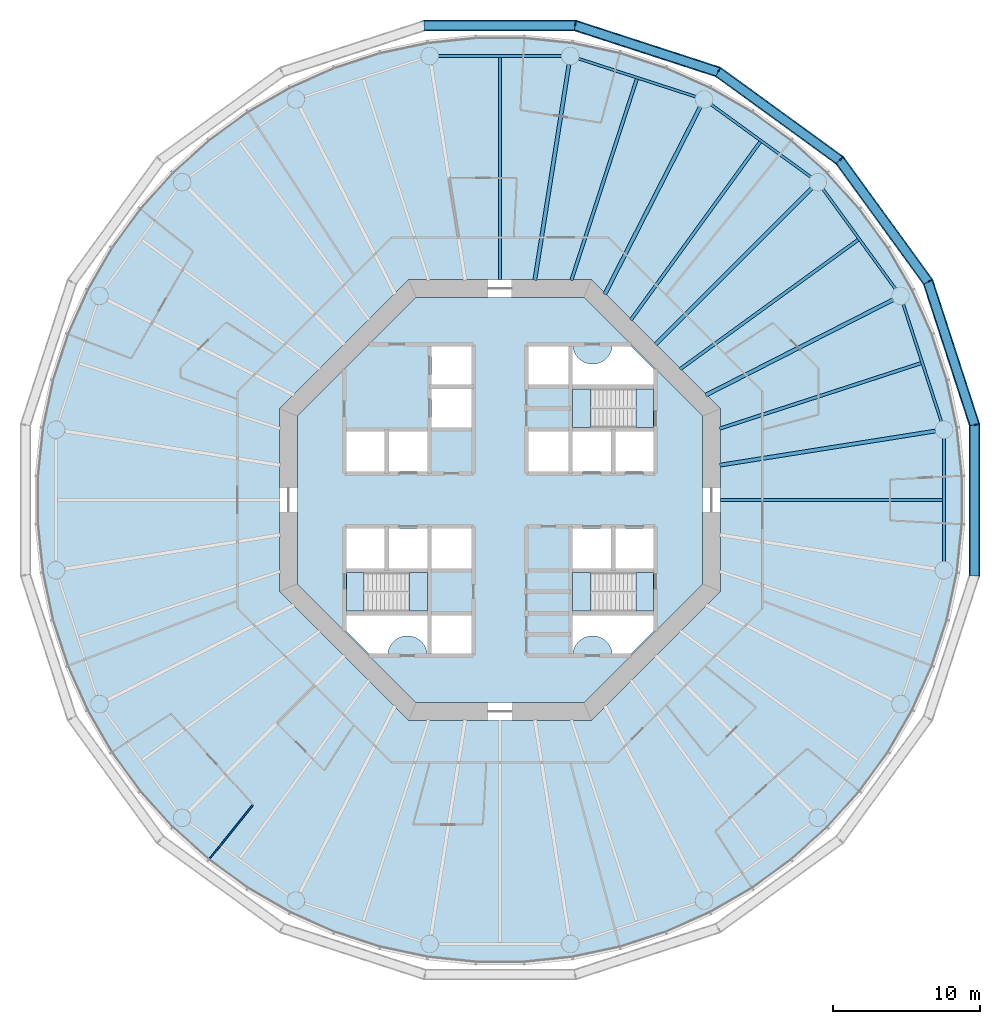
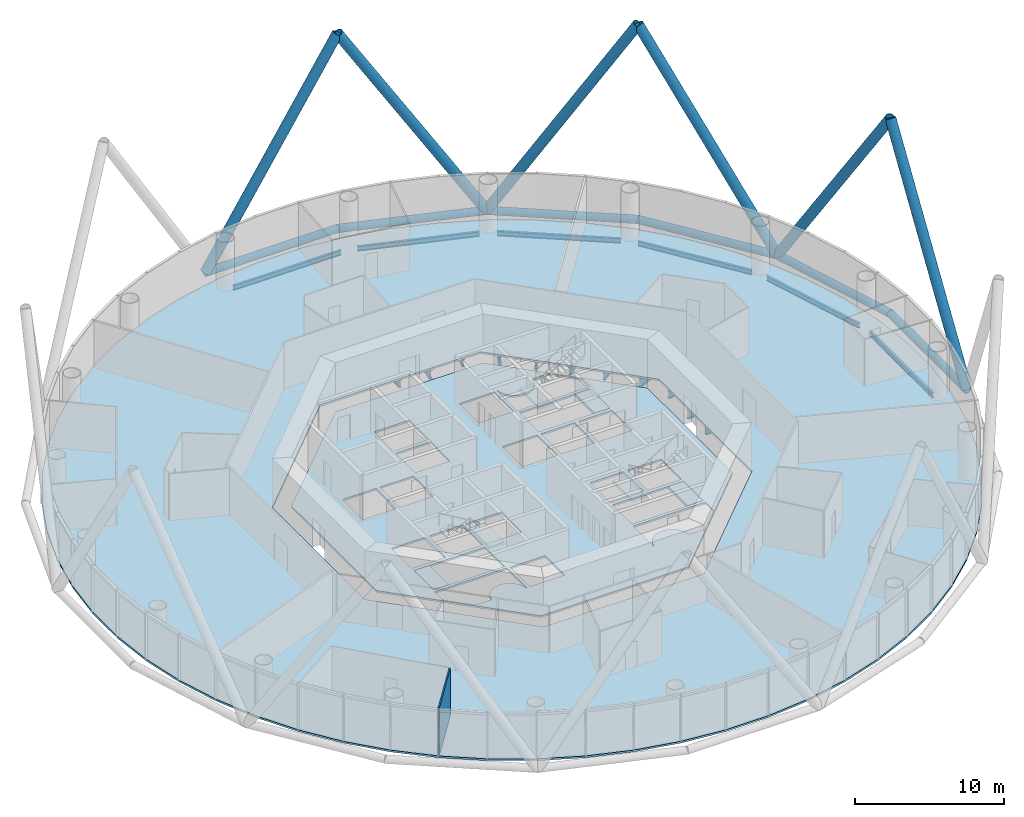
# One storey, part 2 of 13: 17 beams, 12 members, 8 slabs, 1 wall, 3 elements without a shape of their own.
"""IFC4 building model written with IfcOpenShell, lengths in metres."""

from ifc_helpers import new_model, si_unit, direction, frame, frame_2d, origin, origin_2d, place, context, subcontext, project, spatial, polyline, rectangle, circle, hollow_circle, i_section, outline, extrude, material, layer, layer_set, material_profile, profile_set, type_object, element, aggregate, save


model = new_model("IFC4")

# Units and contexts
model_context = context("Model", 3, precision=1e-05, world=origin(), true_north=direction((0.0, 1.0)))
body_context = subcontext(model_context, "Body", "Model", "MODEL_VIEW")
ifc_project = project(units=[si_unit("LENGTHUNIT", "METRE"), si_unit("AREAUNIT", "SQUARE_METRE"), si_unit("VOLUMEUNIT", "CUBIC_METRE"), si_unit("PLANEANGLEUNIT", "RADIAN"), si_unit("MASSUNIT", "GRAM", prefix="KILO")], contexts=[model_context])

# Site, building, storey
site_placement = place(None, origin())
site = spatial("IfcSite", under=ifc_project, at=site_placement, CompositionType="ELEMENT")
building_placement = place(site_placement, origin())
building = spatial("IfcBuilding", under=site, at=building_placement, Name="Entoto Ring Tower", CompositionType="ELEMENT")
storey_placement = place(building_placement, frame((0.0, 0.0, 116.0)))
storey = spatial("IfcBuildingStorey", under=building, at=storey_placement, Name="L26", CompositionType="ELEMENT", Elevation=116.0)

# Members
ifc_material_1 = material(Name="Steel S355", Category="steel")
ifc_material_profile_1 = material_profile(ifc_material_1, hollow_circle(Radius=0.375, WallThickness=0.0380859375, at=origin_2d()), Name="CHS 750 x 38")
ifc_material_2 = material(Name="Concrete C60/75", Category="concrete")
ifc_material_profile_2 = material_profile(ifc_material_2, circle(Radius=0.3369140625, at=origin_2d()), Name="Concrete C60/75 infill")
ifc_profile_set_1 = profile_set([ifc_material_profile_1, ifc_material_profile_2], Name="Steel S355")
member_type_1 = type_object("IfcMemberType", Name="Diagrid diagonal 750 x 38 concrete-filled tube", PredefinedType="BRACE", material=ifc_profile_set_1)
for number, where, z_axis, x_axis, name in (
    (1, (119.135986328125, 94.845458984375, 0.0), (0.166465095802, -0.512340715739, 0.84249413225), (0.95105896794, 0.309009448885, 0.0), "DG3A module 8 01"),
    (2, (119.135986328125, 94.845458984375, 0.0), (-0.316653552924, 0.435822862586, 0.842489738731), (-0.809008424404, -0.587797047665, 0.0), "DG3A module 8 02"),
    (3, (104.845458984375, 109.135986328125, 0.0), (0.435822862586, -0.316653552924, 0.842489738731), (0.587797047665, 0.809008424404, 0.0), "DG3A module 8 03"),
    (4, (104.845458984375, 109.135986328125, 0.0), (-0.512340715739, 0.166465095802, 0.84249413225), (-0.309009448885, -0.95105896794, 0.0), "DG3A module 8 04"),
):
    element("IfcMember", number, at=place(storey_placement, frame(where, z_axis=z_axis, x_axis=x_axis)), inside=storey, type_object=member_type_1, Name=name, PredefinedType="BRACE", context=body_context, shape_type="SweptSolid", body=[
        extrude(hollow_circle(Radius=0.375, WallThickness=0.0380859375, at=origin_2d()), origin(), (0.0, 0.0, 1.0), 18.9912109375),
    ])
for number, where, z_axis, x_axis, name in (
    (5, (84.884521484375, 112.29736328125, 0.0), (0.538715853857, 0.0, 0.84248752442), (0.0, 1.0, 0.0), "DG3A module 8 05"),
    (6, (122.29736328125, 74.884521484375, 0.0), (0.0, 0.538715853857, 0.84248752442), (-1.0, 0.0, 0.0), "DG3A module 8 20"),
):
    element("IfcMember", number, at=place(storey_placement, frame(where, z_axis=z_axis, x_axis=x_axis)), inside=storey, type_object=member_type_1, Name=name, PredefinedType="BRACE", context=body_context, shape_type="SweptSolid", body=[
        extrude(hollow_circle(Radius=0.375, WallThickness=0.0380859375, at=origin_2d()), origin(), (0.0, 0.0, 1.0), 18.991455078125),
    ])
ifc_material_3 = material(Name="Steel S355", Category="steel")
ifc_material_profile_3 = material_profile(ifc_material_3, hollow_circle(Radius=0.300048828125, WallThickness=0.030029296875, at=origin_2d()), Name="CHS 600 x 30")
ifc_material_4 = material(Name="Concrete C60/75", Category="concrete")
ifc_material_profile_4 = material_profile(ifc_material_4, circle(Radius=0.27001953125, at=origin_2d()), Name="Concrete C60/75 infill")
ifc_profile_set_2 = profile_set([ifc_material_profile_3, ifc_material_profile_4], Name="Steel S355")
member_type_2 = type_object("IfcMemberType", Name="Diagrid ring beam 600 x 30", PredefinedType="CHORD", material=ifc_profile_set_2)
for number, where, z_axis, x_axis, name in (
    (7, (119.175537109375, 94.790771484375, 0.0), (-0.587773909122, 0.809025235549, 0.0), (-0.809025235549, -0.587773909122, 0.0), "DR1 ring 7 01"),
    (8, (113.177001953125, 103.082763671875, 0.0), (-0.809025235549, 0.587773909122, 0.0), (-0.587773909122, -0.809025235549, 0.0), "DR1 ring 7 02"),
):
    element("IfcMember", number, at=place(storey_placement, frame(where, z_axis=z_axis, x_axis=x_axis)), inside=storey, type_object=member_type_2, Name=name, PredefinedType="CHORD", context=body_context, shape_type="SweptSolid", body=[
        extrude(hollow_circle(Radius=0.300048828125, WallThickness=0.030029296875, at=origin_2d()), origin(), (0.0, 0.0, 1.0), 10.365966796875),
    ])
for number, where, z_axis, x_axis, name in (
    (9, (104.90966796875, 109.114990234375, 0.0), (-0.951051375491, 0.309032815696, 0.0), (-0.309032815696, -0.951051375491, 0.0), "DR1 ring 7 03"),
    (10, (95.182861328125, 112.29736328125, 0.0), (-1.0, 0.0, 0.0), (0.0, -1.0, 0.0), "DR1 ring 7 04"),
    (11, (122.29736328125, 74.817138671875, 0.0), (0.0, 1.0, 0.0), (-1.0, 0.0, 0.0), "DR1 ring 7 19"),
    (12, (122.318359375, 85.05126953125, 0.0), (-0.309032815696, 0.951051375491, 0.0), (-0.951051375491, -0.309032815696, 0.0), "DR1 ring 7 20"),
):
    element("IfcMember", number, at=place(storey_placement, frame(where, z_axis=z_axis, x_axis=x_axis)), inside=storey, type_object=member_type_2, Name=name, PredefinedType="CHORD", context=body_context, shape_type="SweptSolid", body=[
        extrude(hollow_circle(Radius=0.300048828125, WallThickness=0.030029296875, at=origin_2d()), origin(), (0.0, 0.0, 1.0), 10.36572265625),
    ])

# Beams
ifc_material_5 = material(Name="Steel S355", Category="steel")
ifc_material_profile_5 = material_profile(ifc_material_5, i_section(OverallWidth=0.179931640625, OverallDepth=0.39990234375, WebThickness=0.008544921875, FlangeThickness=0.013427734375, FilletRadius=0.02099609375, at=origin_2d()), Name="IPE 400")
ifc_profile_set_3 = profile_set([ifc_material_profile_5], Name="Steel S355")
beam_type_1 = type_object("IfcBeamType", Name="Edge beam IPE 400", PredefinedType="SPANDREL", material=ifc_profile_set_3)
for number, where, z_axis, x_axis, name in (
    (13, (120.038330078125, 85.35595703125, -0.35009765625), (-0.309014241039, 0.951057410904, 0.0), (-0.951057410904, -0.309014241039, 0.0), "Edge beam L26 01"),
    (14, (116.9130859375, 94.376220703125, -0.35009765625), (-0.587783458554, 0.8090182976, 0.0), (-0.8090182976, -0.587783458554, 0.0), "Edge beam L26 02"),
    (15, (111.1533203125, 101.9892578125, -0.35009765625), (-0.8090182976, 0.587783458554, 0.0), (-0.587783458554, -0.8090182976, 0.0), "Edge beam L26 03"),
    (16, (103.322998046875, 107.44970703125, -0.35009765625), (-0.951057410904, 0.309014241039, 0.0), (-0.309014241039, -0.951057410904, 0.0), "Edge beam L26 04"),
    (17, (94.1884765625, 110.22314453125, -0.35009765625), (-1.0, 0.0, 0.0), (0.0, -1.0, 0.0), "Edge beam L26 05"),
    (18, (120.22314453125, 75.8115234375, -0.35009765625), (0.0, 1.0, 0.0), (-1.0, 0.0, 0.0), "Edge beam L26 20"),
):
    element("IfcBeam", number, at=place(storey_placement, frame(where, z_axis=z_axis, x_axis=x_axis)), inside=storey, type_object=beam_type_1, Name=name, PredefinedType="SPANDREL", context=body_context, shape_type="SweptSolid", body=[
        extrude(i_section(OverallWidth=0.179931640625, OverallDepth=0.39990234375, WebThickness=0.008544921875, FlangeThickness=0.013427734375, FilletRadius=0.02099609375, at=origin_2d()), origin(), (0.0, 0.0, 1.0), 8.376953125),
    ])
ifc_material_6 = material(Name="Steel S355", Category="steel")
ifc_material_profile_6 = material_profile(ifc_material_6, i_section(OverallWidth=0.262939453125, OverallDepth=0.7529296875, WebThickness=0.011474609375, FlangeThickness=0.01708984375, FilletRadius=0.01708984375, at=origin_2d()), Name="IPE 750 x 137")
ifc_profile_set_4 = profile_set([ifc_material_profile_6], Name="Steel S355")
beam_type_2 = type_object("IfcBeamType", Name="Primary floor beam IPE 750 x 137", PredefinedType="BEAM", material=ifc_profile_set_4)
beam_1_placement = place(storey_placement, frame((104.959716796875, 82.369384765625, -0.526611328125), z_axis=(0.98768960451, 0.156426484787, 0.0), x_axis=(-0.156426484787, 0.98768960451, 0.0)))
element("IfcBeam", 19, at=beam_1_placement, inside=storey, type_object=beam_type_2, Name="Primary L26 R01", PredefinedType="BEAM", context=body_context, shape_type="SweptSolid", body=[
    extrude(i_section(OverallWidth=0.262939453125, OverallDepth=0.7529296875, WebThickness=0.011474609375, FlangeThickness=0.01708984375, FilletRadius=0.01708984375, at=origin_2d()), origin(), (0.0, 0.0, 1.0), 14.86279296875),
])
beam_2_placement = place(storey_placement, frame((103.9970703125, 87.1318359375, -0.526611328125), z_axis=(0.891007312585, 0.453988952421, 0.0), x_axis=(-0.453988952421, 0.891007312585, 0.0)))
element("IfcBeam", 20, at=beam_2_placement, inside=storey, type_object=beam_type_2, Name="Primary L26 R02", PredefinedType="BEAM", context=body_context, shape_type="SweptSolid", body=[
    extrude(i_section(OverallWidth=0.262939453125, OverallDepth=0.7529296875, WebThickness=0.011474609375, FlangeThickness=0.01708984375, FilletRadius=0.01708984375, at=origin_2d()), origin(), (0.0, 0.0, 1.0), 14.2998046875),
])
beam_3_placement = place(storey_placement, frame((100.592529296875, 90.592529296875, -0.526611328125), z_axis=(0.707106781187, 0.707106781187, 0.0), x_axis=(-0.707106781187, 0.707106781187, 0.0)))
element("IfcBeam", 21, at=beam_3_placement, inside=storey, type_object=beam_type_2, Name="Primary L26 R03", PredefinedType="BEAM", context=body_context, shape_type="SweptSolid", body=[
    extrude(i_section(OverallWidth=0.262939453125, OverallDepth=0.7529296875, WebThickness=0.011474609375, FlangeThickness=0.01708984375, FilletRadius=0.01708984375, at=origin_2d()), origin(), (0.0, 0.0, 1.0), 15.029052734375),
])
beam_4_placement = place(storey_placement, frame((97.1318359375, 93.9970703125, -0.526611328125), z_axis=(0.453988952421, 0.891007312585, 0.0), x_axis=(-0.891007312585, 0.453988952421, 0.0)))
element("IfcBeam", 22, at=beam_4_placement, inside=storey, type_object=beam_type_2, Name="Primary L26 R04", PredefinedType="BEAM", context=body_context, shape_type="SweptSolid", body=[
    extrude(i_section(OverallWidth=0.262939453125, OverallDepth=0.7529296875, WebThickness=0.011474609375, FlangeThickness=0.01708984375, FilletRadius=0.01708984375, at=origin_2d()), origin(), (0.0, 0.0, 1.0), 14.2998046875),
])
beam_5_placement = place(storey_placement, frame((92.369384765625, 94.959716796875, -0.526611328125), z_axis=(0.156426484787, 0.98768960451, 0.0), x_axis=(-0.98768960451, 0.156426484787, 0.0)))
element("IfcBeam", 23, at=beam_5_placement, inside=storey, type_object=beam_type_2, Name="Primary L26 R05", PredefinedType="BEAM", context=body_context, shape_type="SweptSolid", body=[
    extrude(i_section(OverallWidth=0.262939453125, OverallDepth=0.7529296875, WebThickness=0.011474609375, FlangeThickness=0.01708984375, FilletRadius=0.01708984375, at=origin_2d()), origin(), (0.0, 0.0, 1.0), 14.86279296875),
])
ifc_material_7 = material(Name="Steel S355", Category="steel")
ifc_material_profile_7 = material_profile(ifc_material_7, i_section(OverallWidth=0.219970703125, OverallDepth=0.60009765625, WebThickness=0.011962890625, FlangeThickness=0.01904296875, FilletRadius=0.02392578125, at=origin_2d()), Name="IPE 600")
ifc_profile_set_5 = profile_set([ifc_material_profile_7], Name="Steel S355")
beam_type_3 = type_object("IfcBeamType", Name="Secondary floor beam IPE 600", PredefinedType="JOIST", material=ifc_profile_set_5)
beam_6_placement = place(storey_placement, frame((104.947021484375, 84.856689453125, -0.449951171875), z_axis=(0.951057212949, 0.309014850288, 0.0), x_axis=(-0.309014850288, 0.951057212949, 0.0)))
element("IfcBeam", 24, at=beam_6_placement, inside=storey, type_object=beam_type_3, Name="Secondary beam L26 01", PredefinedType="JOIST", context=body_context, shape_type="SweptSolid", body=[
    extrude(i_section(OverallWidth=0.219970703125, OverallDepth=0.60009765625, WebThickness=0.011962890625, FlangeThickness=0.01904296875, FilletRadius=0.02392578125, at=origin_2d()), origin(), (0.0, 0.0, 1.0), 14.4169921875),
])
for number, where, z_axis, x_axis, name in (
    (25, (102.25634765625, 88.90478515625, -0.449951171875), (0.809019238239, 0.587782163866, 0.0), (-0.587782163866, 0.809019238239, 0.0), "Secondary beam L26 02"),
    (26, (98.90478515625, 92.25634765625, -0.449951171875), (0.587782163866, 0.809019238239, 0.0), (-0.809019238239, 0.587782163866, 0.0), "Secondary beam L26 03"),
):
    element("IfcBeam", number, at=place(storey_placement, frame(where, z_axis=z_axis, x_axis=x_axis)), inside=storey, type_object=beam_type_3, Name=name, PredefinedType="JOIST", context=body_context, shape_type="SweptSolid", body=[
        extrude(i_section(OverallWidth=0.219970703125, OverallDepth=0.60009765625, WebThickness=0.011962890625, FlangeThickness=0.01904296875, FilletRadius=0.02392578125, at=origin_2d()), origin(), (0.0, 0.0, 1.0), 14.983642578125),
    ])
beam_7_placement = place(storey_placement, frame((94.856689453125, 94.947021484375, -0.449951171875), z_axis=(0.309014850288, 0.951057212949, 0.0), x_axis=(-0.951057212949, 0.309014850288, 0.0)))
element("IfcBeam", 27, at=beam_7_placement, inside=storey, type_object=beam_type_3, Name="Secondary beam L26 04", PredefinedType="JOIST", context=body_context, shape_type="SweptSolid", body=[
    extrude(i_section(OverallWidth=0.219970703125, OverallDepth=0.60009765625, WebThickness=0.011962890625, FlangeThickness=0.01904296875, FilletRadius=0.02392578125, at=origin_2d()), origin(), (0.0, 0.0, 1.0), 14.4169921875),
])
for number, where, z_axis, x_axis, name in (
    (28, (90.0, 94.97998046875, -0.449951171875), (0.0, 1.0, 0.0), (-1.0, 0.0, 0.0), "Secondary beam L26 05"),
    (29, (104.97998046875, 80.0, -0.449951171875), (1.0, 0.0, 0.0), (0.0, 1.0, 0.0), "Secondary beam L26 20"),
):
    element("IfcBeam", number, at=place(storey_placement, frame(where, z_axis=z_axis, x_axis=x_axis)), inside=storey, type_object=beam_type_3, Name=name, PredefinedType="JOIST", context=body_context, shape_type="SweptSolid", body=[
        extrude(i_section(OverallWidth=0.219970703125, OverallDepth=0.60009765625, WebThickness=0.011962890625, FlangeThickness=0.01904296875, FilletRadius=0.02392578125, at=origin_2d()), origin(), (0.0, 0.0, 1.0), 15.1533203125),
    ])

# Slabs
ifc_material_8 = material(Name="Concrete C30/37", Category="concrete")
ifc_layer_1 = layer(ifc_material_8, 0.14990234375)
ifc_layer_set_1 = layer_set([ifc_layer_1], Name="Concrete C30/37")
slab_type_1 = type_object("IfcSlabType", Name="Composite floor slab 150 mm", PredefinedType="FLOOR", material=ifc_layer_set_1)
slab_1_placement = place(storey_placement, frame((0.0, 0.0, -0.14990234375)))
element("IfcSlab", 30, at=slab_1_placement, inside=storey, type_object=slab_type_1, Name="Floor slab L26", PredefinedType="FLOOR", context=body_context, shape_type="SweptSolid", body=[
    extrude(outline(polyline([(121.2109375, 84.943359375), (120.523193359375, 88.1787109375), (119.501220703125, 91.324462890625), (118.15576171875, 94.34619140625), (116.501953125, 97.210693359375), (114.557861328125, 99.886474609375), (112.344482421875, 102.344482421875), (109.886474609375, 104.557861328125), (107.210693359375, 106.501953125), (104.34619140625, 108.15576171875), (101.324462890625, 109.501220703125), (98.1787109375, 110.523193359375), (94.943359375, 111.2109375), (91.65380859375, 111.556640625), (88.34619140625, 111.556640625), (85.056640625, 111.2109375), (81.8212890625, 110.523193359375), (78.675537109375, 109.501220703125), (75.65380859375, 108.15576171875), (72.789306640625, 106.501953125), (70.113525390625, 104.557861328125), (67.655517578125, 102.344482421875), (65.442138671875, 99.886474609375), (63.498046875, 97.210693359375), (61.84423828125, 94.34619140625), (60.498779296875, 91.324462890625), (59.476806640625, 88.1787109375), (58.7890625, 84.943359375), (58.443359375, 81.65380859375), (58.443359375, 78.34619140625), (58.7890625, 75.056640625), (59.476806640625, 71.8212890625), (60.498779296875, 68.675537109375), (61.84423828125, 65.65380859375), (63.498046875, 62.789306640625), (65.442138671875, 60.113525390625), (67.655517578125, 57.655517578125), (70.113525390625, 55.442138671875), (72.789306640625, 53.498046875), (75.65380859375, 51.84423828125), (78.675537109375, 50.498779296875), (81.8212890625, 49.476806640625), (85.056640625, 48.7890625), (88.34619140625, 48.443359375), (91.65380859375, 48.443359375), (94.943359375, 48.7890625), (98.1787109375, 49.476806640625), (101.324462890625, 50.498779296875), (104.34619140625, 51.84423828125), (107.210693359375, 53.498046875), (109.886474609375, 55.442138671875), (112.344482421875, 57.655517578125), (114.557861328125, 60.113525390625), (116.501953125, 62.789306640625), (118.15576171875, 65.65380859375), (119.501220703125, 68.675537109375), (120.523193359375, 71.8212890625), (121.2109375, 75.056640625), (121.556640625, 78.34619140625), (121.556640625, 81.65380859375), (121.2109375, 84.943359375)]), holes=[polyline([(105.0, 73.786865234375), (105.0, 86.213134765625), (96.213134765625, 95.0), (83.786865234375, 95.0), (75.0, 86.213134765625), (75.0, 73.786865234375), (83.786865234375, 65.0), (96.213134765625, 65.0), (105.0, 73.786865234375)])]), origin(), (0.0, 0.0, 1.0), 0.14990234375),
])
ifc_material_9 = material(Name="Concrete C40/50", Category="concrete")
ifc_layer_2 = layer(ifc_material_9, 0.14990234375)
ifc_layer_set_2 = layer_set([ifc_layer_2], Name="Concrete C40/50")
slab_type_2 = type_object("IfcSlabType", Name="Core floor slab 150 mm reinforced concrete C40/50", PredefinedType="FLOOR", material=ifc_layer_set_2)
slab_2_placement = place(storey_placement, frame((0.0, 0.0, -0.14990234375)))
element("IfcSlab", 31, at=slab_2_placement, inside=storey, type_object=slab_type_2, Name="Core floor L26", PredefinedType="FLOOR", context=body_context, shape_type="SweptSolid", body=[
    extrude(outline(polyline([(103.800048828125, 74.283935546875), (103.800048828125, 85.716064453125), (95.716064453125, 93.800048828125), (84.283935546875, 93.800048828125), (76.199951171875, 85.716064453125), (76.199951171875, 74.283935546875), (84.283935546875, 66.199951171875), (95.716064453125, 66.199951171875), (103.800048828125, 74.283935546875)]), holes=[polyline([(100.449951171875, 84.949951171875), (100.449951171875, 87.550048828125), (94.949951171875, 87.550048828125), (94.949951171875, 84.949951171875), (100.449951171875, 84.949951171875)]), polyline([(85.050048828125, 72.449951171875), (85.050048828125, 75.050048828125), (79.550048828125, 75.050048828125), (79.550048828125, 72.449951171875), (85.050048828125, 72.449951171875)]), polyline([(100.449951171875, 72.449951171875), (100.449951171875, 75.050048828125), (94.949951171875, 75.050048828125), (94.949951171875, 72.449951171875), (100.449951171875, 72.449951171875)]), polyline([(94.949951171875, 81.949951171875), (97.550048828125, 81.949951171875), (97.550048828125, 84.64990234375), (94.949951171875, 84.64990234375), (94.949951171875, 81.949951171875)]), polyline([(97.85009765625, 81.949951171875), (100.449951171875, 81.949951171875), (100.449951171875, 84.64990234375), (97.85009765625, 84.64990234375), (97.85009765625, 81.949951171875)]), polyline([(82.449951171875, 81.949951171875), (85.050048828125, 81.949951171875), (85.050048828125, 84.64990234375), (82.449951171875, 84.64990234375), (82.449951171875, 81.949951171875)]), polyline([(94.949951171875, 75.35009765625), (97.550048828125, 75.35009765625), (97.550048828125, 78.050048828125), (94.949951171875, 78.050048828125), (94.949951171875, 75.35009765625)]), polyline([(97.85009765625, 75.35009765625), (100.449951171875, 75.35009765625), (100.449951171875, 78.050048828125), (97.85009765625, 78.050048828125), (97.85009765625, 75.35009765625)]), polyline([(82.449951171875, 75.35009765625), (85.050048828125, 75.35009765625), (85.050048828125, 78.050048828125), (82.449951171875, 78.050048828125), (82.449951171875, 75.35009765625)]), polyline([(79.550048828125, 81.949951171875), (82.14990234375, 81.949951171875), (82.14990234375, 84.64990234375), (79.550048828125, 84.64990234375), (79.550048828125, 81.949951171875)]), polyline([(79.550048828125, 75.35009765625), (82.14990234375, 75.35009765625), (82.14990234375, 78.050048828125), (79.550048828125, 78.050048828125), (79.550048828125, 75.35009765625)]), polyline([(91.949951171875, 87.85009765625), (94.64990234375, 87.85009765625), (94.64990234375, 90.449951171875), (91.949951171875, 90.449951171875), (91.949951171875, 87.85009765625)]), polyline([(85.35009765625, 69.550048828125), (88.050048828125, 69.550048828125), (88.050048828125, 72.14990234375), (85.35009765625, 72.14990234375), (85.35009765625, 69.550048828125)]), polyline([(91.949951171875, 81.949951171875), (94.64990234375, 81.949951171875), (94.64990234375, 84.64990234375), (91.949951171875, 84.64990234375), (91.949951171875, 81.949951171875)]), polyline([(85.35009765625, 75.35009765625), (88.050048828125, 75.35009765625), (88.050048828125, 78.050048828125), (85.35009765625, 78.050048828125), (85.35009765625, 75.35009765625)]), polyline([(85.35009765625, 84.949951171875), (88.050048828125, 84.949951171875), (88.050048828125, 87.550048828125), (85.35009765625, 87.550048828125), (85.35009765625, 84.949951171875)]), polyline([(85.35009765625, 87.85009765625), (88.050048828125, 87.85009765625), (88.050048828125, 90.449951171875), (85.35009765625, 90.449951171875), (85.35009765625, 87.85009765625)]), polyline([(94.89990234375, 90.5), (94.89990234375, 87.800048828125), (100.5, 87.800048828125), (100.5, 88.874755859375), (98.874755859375, 90.5), (97.64501953125, 90.5), (97.6435546875, 90.4677734375), (97.6240234375, 90.336669921875), (97.591796875, 90.2080078125), (97.547119140625, 90.08349609375), (97.490478515625, 89.963623046875), (97.422607421875, 89.85009765625), (97.343505859375, 89.74365234375), (97.254638671875, 89.6455078125), (97.156494140625, 89.556396484375), (97.050048828125, 89.4775390625), (96.936279296875, 89.409423828125), (96.816650390625, 89.352783203125), (96.69189453125, 89.30810546875), (96.5634765625, 89.27587890625), (96.432373046875, 89.256591796875), (96.300048828125, 89.25), (96.167724609375, 89.256591796875), (96.03662109375, 89.27587890625), (95.908203125, 89.30810546875), (95.783447265625, 89.352783203125), (95.66357421875, 89.409423828125), (95.550048828125, 89.4775390625), (95.443603515625, 89.556396484375), (95.345458984375, 89.6455078125), (95.25634765625, 89.74365234375), (95.177490234375, 89.85009765625), (95.109375, 89.963623046875), (95.052734375, 90.08349609375), (95.008056640625, 90.2080078125), (94.975830078125, 90.336669921875), (94.95654296875, 90.4677734375), (94.954833984375, 90.5), (94.89990234375, 90.5)]), polyline([(79.5, 71.125244140625), (81.125244140625, 69.5), (82.35498046875, 69.5), (82.3564453125, 69.5322265625), (82.3759765625, 69.663330078125), (82.408203125, 69.7919921875), (82.452880859375, 69.91650390625), (82.509521484375, 70.036376953125), (82.577392578125, 70.14990234375), (82.656494140625, 70.25634765625), (82.745361328125, 70.3544921875), (82.843505859375, 70.443603515625), (82.949951171875, 70.5224609375), (83.063720703125, 70.590576171875), (83.183349609375, 70.647216796875), (83.30810546875, 70.69189453125), (83.4365234375, 70.72412109375), (83.567626953125, 70.743408203125), (83.699951171875, 70.75), (83.832275390625, 70.743408203125), (83.96337890625, 70.72412109375), (84.091796875, 70.69189453125), (84.216552734375, 70.647216796875), (84.33642578125, 70.590576171875), (84.449951171875, 70.5224609375), (84.556396484375, 70.443603515625), (84.654541015625, 70.3544921875), (84.74365234375, 70.25634765625), (84.822509765625, 70.14990234375), (84.890625, 70.036376953125), (84.947265625, 69.91650390625), (84.991943359375, 69.7919921875), (85.024169921875, 69.663330078125), (85.04345703125, 69.5322265625), (85.045166015625, 69.5), (85.10009765625, 69.5), (85.10009765625, 72.199951171875), (79.5, 72.199951171875), (79.5, 71.125244140625)]), polyline([(97.64501953125, 69.5), (98.874755859375, 69.5), (100.5, 71.125244140625), (100.5, 72.199951171875), (94.89990234375, 72.199951171875), (94.89990234375, 69.5), (94.954833984375, 69.5), (94.95654296875, 69.5322265625), (94.975830078125, 69.663330078125), (95.008056640625, 69.7919921875), (95.052734375, 69.91650390625), (95.109375, 70.036376953125), (95.177490234375, 70.14990234375), (95.25634765625, 70.25634765625), (95.345458984375, 70.3544921875), (95.443603515625, 70.443603515625), (95.550048828125, 70.5224609375), (95.66357421875, 70.590576171875), (95.783447265625, 70.647216796875), (95.908203125, 70.69189453125), (96.03662109375, 70.72412109375), (96.167724609375, 70.743408203125), (96.300048828125, 70.75), (96.432373046875, 70.743408203125), (96.5634765625, 70.72412109375), (96.69189453125, 70.69189453125), (96.816650390625, 70.647216796875), (96.936279296875, 70.590576171875), (97.050048828125, 70.5224609375), (97.156494140625, 70.443603515625), (97.254638671875, 70.3544921875), (97.343505859375, 70.25634765625), (97.422607421875, 70.14990234375), (97.490478515625, 70.036376953125), (97.547119140625, 69.91650390625), (97.591796875, 69.7919921875), (97.6240234375, 69.663330078125), (97.6435546875, 69.5322265625), (97.64501953125, 69.5)])]), origin(), (0.0, 0.0, 1.0), 0.14990234375),
])

# Stair, slabs
ifc_material_10 = material(Name="Concrete C40/50", Category="concrete")
stair_type = type_object("IfcStairType", Name="Exit stair 1200 mm dog-leg reinforced concrete", PredefinedType="HALF_TURN_STAIR", material=ifc_material_10)
stair_1_placement = place(storey_placement, origin())
stair_1 = element("IfcStair", 32, at=stair_1_placement, inside=storey, type_object=stair_type, Name="Exit stair 1", PredefinedType="HALF_TURN_STAIR")
ifc_material_11 = material(Name="Concrete C40/50", Category="concrete")
ifc_layer_3 = layer(ifc_material_11, 0.199951171875)
ifc_layer_set_3 = layer_set([ifc_layer_3], Name="Concrete C40/50")
slab_type_3 = type_object("IfcSlabType", Name="Stair landing 200 mm reinforced concrete", PredefinedType="LANDING", material=ifc_layer_set_3)
slab_3_placement = place(storey_placement, frame((0.0, 0.0, -0.199951171875)))
slab_3 = element("IfcSlab", 33, at=slab_3_placement, type_object=slab_type_3, Name="ST1 landing 1", PredefinedType="LANDING", context=body_context, shape_type="SweptSolid", body=[
    extrude(outline(polyline([(100.449951171875, 84.949951171875), (100.449951171875, 87.550048828125), (99.25, 87.550048828125), (99.25, 84.949951171875), (100.449951171875, 84.949951171875)])), origin(), (0.0, 0.0, 1.0), 0.199951171875),
])
slab_4_placement = place(storey_placement, frame((0.0, 0.0, 1.800048828125)))
slab_4 = element("IfcSlab", 34, at=slab_4_placement, type_object=slab_type_3, Name="ST1 landing 2", PredefinedType="LANDING", context=body_context, shape_type="SweptSolid", body=[
    extrude(outline(polyline([(94.949951171875, 84.949951171875), (96.169921875, 84.949951171875), (96.169921875, 87.550048828125), (94.949951171875, 87.550048828125), (94.949951171875, 84.949951171875)])), origin(), (0.0, 0.0, 1.0), 0.199951171875),
])
aggregate(stair_1, [slab_3, slab_4])

stair_2_placement = place(storey_placement, origin())
stair_2 = element("IfcStair", 35, at=stair_2_placement, inside=storey, type_object=stair_type, Name="Exit stair 2", PredefinedType="HALF_TURN_STAIR")
slab_5_placement = place(storey_placement, frame((0.0, 0.0, -0.199951171875)))
slab_5 = element("IfcSlab", 36, at=slab_5_placement, type_object=slab_type_3, Name="ST2 landing 1", PredefinedType="LANDING", context=body_context, shape_type="SweptSolid", body=[
    extrude(outline(polyline([(80.75, 72.449951171875), (80.75, 75.050048828125), (79.550048828125, 75.050048828125), (79.550048828125, 72.449951171875), (80.75, 72.449951171875)])), origin(), (0.0, 0.0, 1.0), 0.199951171875),
])
slab_6_placement = place(storey_placement, frame((0.0, 0.0, 1.800048828125)))
slab_6 = element("IfcSlab", 37, at=slab_6_placement, type_object=slab_type_3, Name="ST2 landing 2", PredefinedType="LANDING", context=body_context, shape_type="SweptSolid", body=[
    extrude(outline(polyline([(83.830078125, 72.449951171875), (85.050048828125, 72.449951171875), (85.050048828125, 75.050048828125), (83.830078125, 75.050048828125), (83.830078125, 72.449951171875)])), origin(), (0.0, 0.0, 1.0), 0.199951171875),
])
aggregate(stair_2, [slab_5, slab_6])

stair_3_placement = place(storey_placement, origin())
stair_3 = element("IfcStair", 38, at=stair_3_placement, inside=storey, type_object=stair_type, Name="Exit stair 3", PredefinedType="HALF_TURN_STAIR")
slab_7_placement = place(storey_placement, frame((0.0, 0.0, -0.199951171875)))
slab_7 = element("IfcSlab", 39, at=slab_7_placement, type_object=slab_type_3, Name="ST3 landing 1", PredefinedType="LANDING", context=body_context, shape_type="SweptSolid", body=[
    extrude(outline(polyline([(100.449951171875, 72.449951171875), (100.449951171875, 75.050048828125), (99.25, 75.050048828125), (99.25, 72.449951171875), (100.449951171875, 72.449951171875)])), origin(), (0.0, 0.0, 1.0), 0.199951171875),
])
slab_8_placement = place(storey_placement, frame((0.0, 0.0, 1.800048828125)))
slab_8 = element("IfcSlab", 40, at=slab_8_placement, type_object=slab_type_3, Name="ST3 landing 2", PredefinedType="LANDING", context=body_context, shape_type="SweptSolid", body=[
    extrude(outline(polyline([(94.949951171875, 72.449951171875), (96.169921875, 72.449951171875), (96.169921875, 75.050048828125), (94.949951171875, 75.050048828125), (94.949951171875, 72.449951171875)])), origin(), (0.0, 0.0, 1.0), 0.199951171875),
])
aggregate(stair_3, [slab_7, slab_8])

# Wall
ifc_material_12 = material(Name="Plasterboard on steel studs", Category="steel")
ifc_layer_4 = layer(ifc_material_12, 0.10009765625)
ifc_layer_set_4 = layer_set([ifc_layer_4], Name="Plasterboard on steel studs")
wall_type = type_object("IfcWallType", Name="Partition 100 mm plasterboard on steel studs", PredefinedType="PARTITIONING", material=ifc_layer_set_4)
wall_placement = place(storey_placement, frame((70.214111328125, 55.56640625, 0.0), z_axis=(0.0, 0.0, 1.0), x_axis=(0.629298538396, 0.777163656879, 0.0)))
element("IfcWall", 41, at=wall_placement, inside=storey, type_object=wall_type, Name="partition-L26-024", PredefinedType="PARTITIONING", context=body_context, shape_type="SweptSolid", body=[
    extrude(rectangle(XDim=4.690673828125, YDim=0.10009765625, at=frame_2d((2.34521484375, 0.0))), origin(), (0.0, 0.0, 1.0), 3.85009765625),
])

save(model, "model.ifc")
